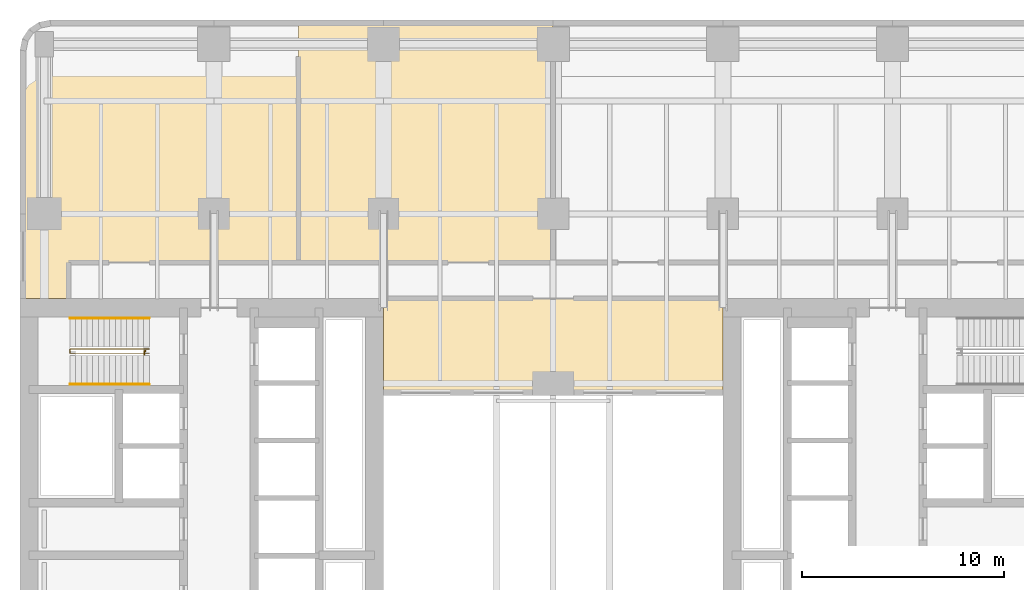
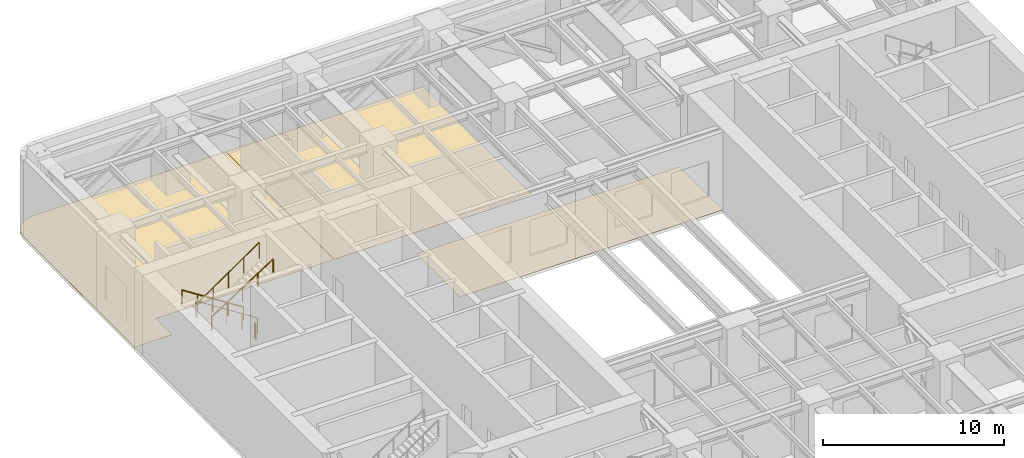
# One storey, part 10 of 11: 4 railings, 3 coverings.
"""IFC4 building model written with IfcOpenShell, lengths in metres."""

from ifc_helpers import new_model, si_unit, direction, frame, origin, origin_2d, place, context, subcontext, project, spatial, polyline, circle, outline, extrude, material, layer, layer_set, type_object, element, save


model = new_model("IFC4")

# Units and contexts
model_context = context("Model", 3, precision=1e-05, world=origin(), true_north=direction((0.0, 1.0)))
body_context = subcontext(model_context, "Body", "Model", "MODEL_VIEW")
ifc_project = project(units=[si_unit("LENGTHUNIT", "METRE"), si_unit("AREAUNIT", "SQUARE_METRE"), si_unit("VOLUMEUNIT", "CUBIC_METRE"), si_unit("PLANEANGLEUNIT", "RADIAN"), si_unit("MASSUNIT", "GRAM", prefix="KILO")], contexts=[model_context])

# Site, building, storey
site_placement = place(None, origin())
site = spatial("IfcSite", under=ifc_project, at=site_placement, CompositionType="ELEMENT")
building_placement = place(site_placement, origin())
building = spatial("IfcBuilding", under=site, at=building_placement, Name="Claustro Exchange Tower", CompositionType="ELEMENT")
storey_placement = place(building_placement, frame((0.0, 0.0, 90.89990234375)))
storey = spatial("IfcBuildingStorey", under=building, at=storey_placement, Name="L20", CompositionType="ELEMENT", Elevation=90.89990234375)

# Coverings
ifc_material_1 = material(Name="Epoxy resin floor finish", Category="resin")
ifc_layer = layer(ifc_material_1, 0.006103515625)
ifc_layer_set = layer_set([ifc_layer], Name="Epoxy resin floor finish")
covering_type = type_object("IfcCoveringType", Name="FL2 resin plant room floor", PredefinedType="FLOORING", material=ifc_layer_set)
covering_1_placement = place(storey_placement, origin())
element("IfcCovering", 1, at=covering_1_placement, inside=storey, type_object=covering_type, Name="Resin floor FL2 L20-06", PredefinedType="FLOORING", context=body_context, shape_type="SweptSolid", body=[
    extrude(outline(polyline([(33.60009765625, 33.0), (33.60009765625, 37.800048828125), (16.800048828125, 37.800048828125), (16.800048828125, 33.0), (33.60009765625, 33.0)])), origin(), (0.0, 0.0, 1.0), 0.006103515625),
])
covering_2_placement = place(storey_placement, origin())
element("IfcCovering", 2, at=covering_2_placement, inside=storey, type_object=covering_type, Name="Resin floor FL2 L20-08", PredefinedType="FLOORING", context=body_context, shape_type="SweptSolid", body=[
    extrude(outline(polyline([(-1.199951171875, 50.10009765625), (-1.199951171875, 37.800048828125), (1.199951171875, 37.800048828125), (1.199951171875, 39.60009765625), (12.60009765625, 39.60009765625), (12.60009765625, 51.60009765625), (0.300048828125, 51.60009765625), (-0.27392578125, 51.48583984375), (-0.7607421875, 51.16064453125), (-1.085693359375, 50.674072265625), (-1.199951171875, 50.10009765625)])), origin(), (0.0, 0.0, 1.0), 0.006103515625),
])
covering_3_placement = place(storey_placement, origin())
element("IfcCovering", 3, at=covering_3_placement, inside=storey, type_object=covering_type, Name="Resin floor FL2 L20-10", PredefinedType="FLOORING", context=body_context, shape_type="SweptSolid", body=[
    extrude(outline(polyline([(25.199951171875, 51.60009765625), (12.60009765625, 51.60009765625), (12.60009765625, 39.60009765625), (25.199951171875, 39.60009765625), (25.199951171875, 51.60009765625)])), origin(), (0.0, 0.0, 1.0), 0.006103515625),
])

# Railings
ifc_material_2 = material(Name="Steel balustrade, painted", Category="steel")
railing_type_1 = type_object("IfcRailingType", Name="GR2 1100 steel stair guard", PredefinedType="GUARDRAIL", material=ifc_material_2)
railing_1_placement = place(storey_placement, frame((5.199951171875, 35.300048828125, 0.18017578125)))
element("IfcRailing", 4, at=railing_1_placement, inside=storey, type_object=railing_type_1, Name="Stair well guard GR2 stair STWB L20", PredefinedType="GUARDRAIL", context=body_context, shape_type="SweptSolid", body=[
    extrude(circle(Radius=0.02392578125, at=origin_2d()), frame((0.0, 0.0, 1.076171875), z_axis=(-0.841171666519, 0.0, 0.540768182723), x_axis=(0.0, -1.0, 0.0)), (0.0, 0.0, 1.0), 4.66015625),
    extrude(circle(Radius=0.02392578125, at=origin_2d()), frame((-3.919921875, 0.0, 3.59619140625), z_axis=(0.0, -1.0, 0.0), x_axis=(1.0, 0.0, 0.0)), (0.0, 0.0, 1.0), 0.199951171875),
    extrude(circle(Radius=0.02392578125, at=origin_2d()), frame((-3.919921875, -0.199951171875, 3.59619140625), z_axis=(0.823550731654, 0.0, 0.567242622158), x_axis=(0.0, 1.0, 0.0)), (0.0, 0.0, 1.0), 4.759765625),
    extrude(circle(Radius=0.02099609375, at=origin_2d()), origin(), (0.0, 0.0, 1.0), 1.052001953125),
    extrude(circle(Radius=0.02099609375, at=origin_2d()), frame((-0.97998046875, 0.0, 0.6298828125)), (0.0, 0.0, 1.0), 1.052001953125),
    extrude(circle(Radius=0.02099609375, at=origin_2d()), frame((-1.9599609375, 0.0, 1.260009765625)), (0.0, 0.0, 1.0), 1.052001953125),
    extrude(circle(Radius=0.02099609375, at=origin_2d()), frame((-2.93994140625, 0.0, 1.89013671875)), (0.0, 0.0, 1.0), 1.052001953125),
    extrude(circle(Radius=0.02099609375, at=origin_2d()), frame((-3.919921875, 0.0, 2.52001953125)), (0.0, 0.0, 1.0), 1.052001953125),
    extrude(circle(Radius=0.02099609375, at=origin_2d()), frame((-3.919921875, -0.199951171875, 2.52001953125)), (0.0, 0.0, 1.0), 1.052001953125),
    extrude(circle(Radius=0.02099609375, at=origin_2d()), frame((-2.93994140625, -0.199951171875, 3.195068359375)), (0.0, 0.0, 1.0), 1.052001953125),
    extrude(circle(Radius=0.02099609375, at=origin_2d()), frame((-1.9599609375, -0.199951171875, 3.8701171875)), (0.0, 0.0, 1.0), 1.052001953125),
    extrude(circle(Radius=0.02099609375, at=origin_2d()), frame((-0.97998046875, -0.199951171875, 4.544921875)), (0.0, 0.0, 1.0), 1.052001953125),
    extrude(circle(Radius=0.02099609375, at=origin_2d()), frame((0.0, -0.199951171875, 5.219970703125)), (0.0, 0.0, 1.0), 1.052001953125),
])
railing_2_placement = place(storey_placement, frame((5.0, 35.22998046875, 0.0)))
element("IfcRailing", 5, at=railing_2_placement, inside=storey, type_object=railing_type_1, Name="Stair guard GR2 STWB L20", PredefinedType="GUARDRAIL", context=body_context, shape_type="SweptSolid", body=[
    extrude(circle(Radius=0.02392578125, at=origin_2d()), frame((0.0, 0.0, 1.076171875), z_axis=(0.0, -1.0, 0.0), x_axis=(1.0, 0.0, 0.0)), (0.0, 0.0, 1.0), 0.030029296875),
    extrude(circle(Radius=0.02392578125, at=origin_2d()), frame((0.0, -0.030029296875, 1.076171875), z_axis=(-1.0, 0.0, 0.0), x_axis=(0.0, -1.0, 0.0)), (0.0, 0.0, 1.0), 0.054931640625),
    extrude(circle(Radius=0.02392578125, at=origin_2d()), frame((-0.054931640625, -0.030029296875, 1.076171875), z_axis=(0.0, -1.0, 0.0), x_axis=(1.0, 0.0, 0.0)), (0.0, 0.0, 1.0), 0.179931640625),
    extrude(circle(Radius=0.02099609375, at=origin_2d()), origin(), (0.0, 0.0, 1.0), 1.052001953125),
    extrude(circle(Radius=0.02099609375, at=origin_2d()), frame((0.0, -0.030029296875, 0.0)), (0.0, 0.0, 1.0), 1.052001953125),
    extrude(circle(Radius=0.02099609375, at=origin_2d()), frame((-0.054931640625, -0.030029296875, 0.0)), (0.0, 0.0, 1.0), 1.052001953125),
    extrude(circle(Radius=0.02099609375, at=origin_2d()), frame((-0.054931640625, -0.2099609375, 0.0)), (0.0, 0.0, 1.0), 1.052001953125),
])
ifc_material_3 = material(Name="Stainless steel tube", Category="steel")
railing_type_2 = type_object("IfcRailingType", Name="HR1 900 stair handrail", PredefinedType="HANDRAIL", material=ifc_material_3)
railing_3_placement = place(storey_placement, frame((5.199951171875, 36.840087890625, 0.18017578125)))
element("IfcRailing", 6, at=railing_3_placement, inside=storey, type_object=railing_type_2, Name="Handrail HR1 stair STWB L20", PredefinedType="HANDRAIL", context=body_context, shape_type="SweptSolid", body=[
    extrude(circle(Radius=0.02392578125, at=origin_2d()), frame((0.0, 0.0, 0.8759765625), z_axis=(-0.841171666519, 0.0, 0.540768182723), x_axis=(0.0, -1.0, 0.0)), (0.0, 0.0, 1.0), 4.66015625),
    extrude(circle(Radius=0.02099609375, at=origin_2d()), origin(), (0.0, 0.0, 1.0), 0.851806640625),
    extrude(circle(Radius=0.02099609375, at=origin_2d()), frame((-0.97998046875, 0.0, 0.6298828125)), (0.0, 0.0, 1.0), 0.851806640625),
    extrude(circle(Radius=0.02099609375, at=origin_2d()), frame((-1.9599609375, 0.0, 1.260009765625)), (0.0, 0.0, 1.0), 0.851806640625),
    extrude(circle(Radius=0.02099609375, at=origin_2d()), frame((-2.93994140625, 0.0, 1.89013671875)), (0.0, 0.0, 1.0), 0.851806640625),
    extrude(circle(Radius=0.02099609375, at=origin_2d()), frame((-3.919921875, 0.0, 2.52001953125)), (0.0, 0.0, 1.0), 0.851806640625),
])
railing_4_placement = place(storey_placement, frame((1.280029296875, 33.56005859375, 2.880126953125)))
element("IfcRailing", 7, at=railing_4_placement, inside=storey, type_object=railing_type_2, Name="Handrail HR1 stair STWB L20", PredefinedType="HANDRAIL", context=body_context, shape_type="SweptSolid", body=[
    extrude(circle(Radius=0.02392578125, at=origin_2d()), frame((0.0, 0.0, 0.8759765625), z_axis=(0.841171666519, 0.0, 0.540768182723), x_axis=(0.0, 1.0, 0.0)), (0.0, 0.0, 1.0), 4.66015625),
    extrude(circle(Radius=0.02099609375, at=origin_2d()), origin(), (0.0, 0.0, 1.0), 0.851806640625),
    extrude(circle(Radius=0.02099609375, at=origin_2d()), frame((0.97998046875, 0.0, 0.6298828125)), (0.0, 0.0, 1.0), 0.851806640625),
    extrude(circle(Radius=0.02099609375, at=origin_2d()), frame((1.9599609375, 0.0, 1.260009765625)), (0.0, 0.0, 1.0), 0.851806640625),
    extrude(circle(Radius=0.02099609375, at=origin_2d()), frame((2.93994140625, 0.0, 1.89013671875)), (0.0, 0.0, 1.0), 0.851806640625),
    extrude(circle(Radius=0.02099609375, at=origin_2d()), frame((3.919921875, 0.0, 2.52001953125)), (0.0, 0.0, 1.0), 0.851806640625),
])

save(model, "model.ifc")
